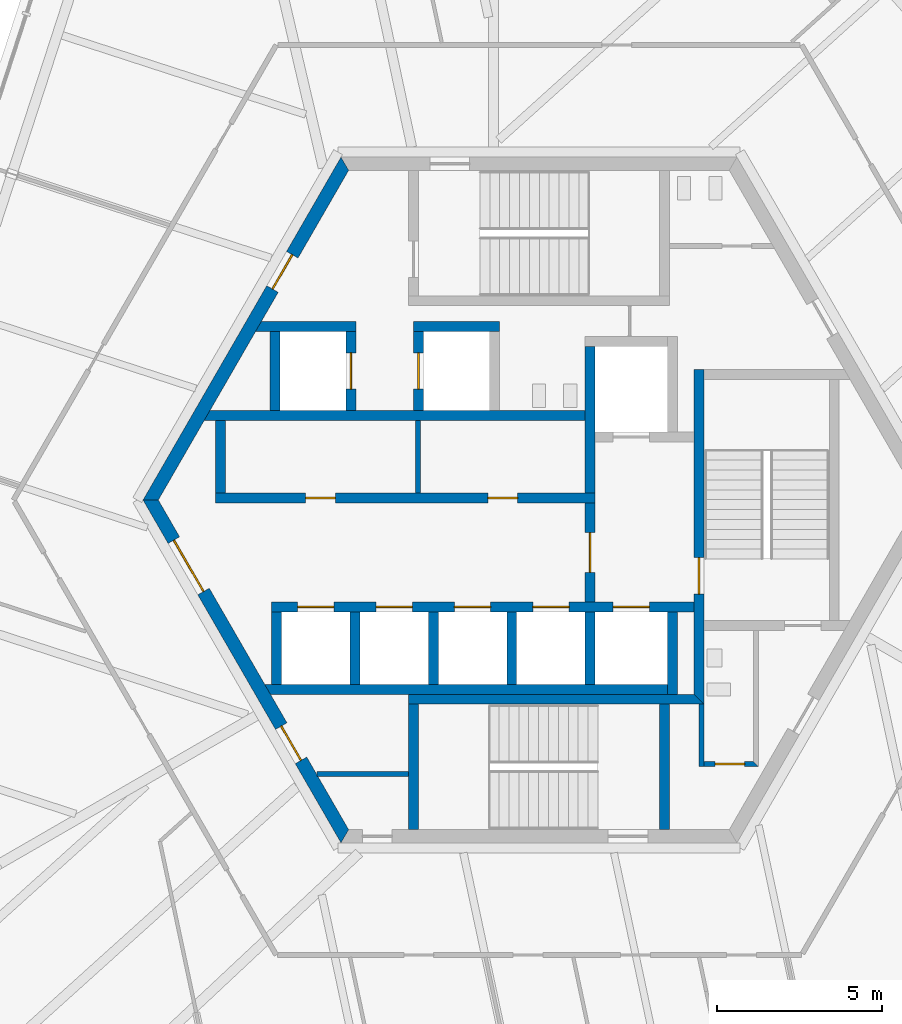
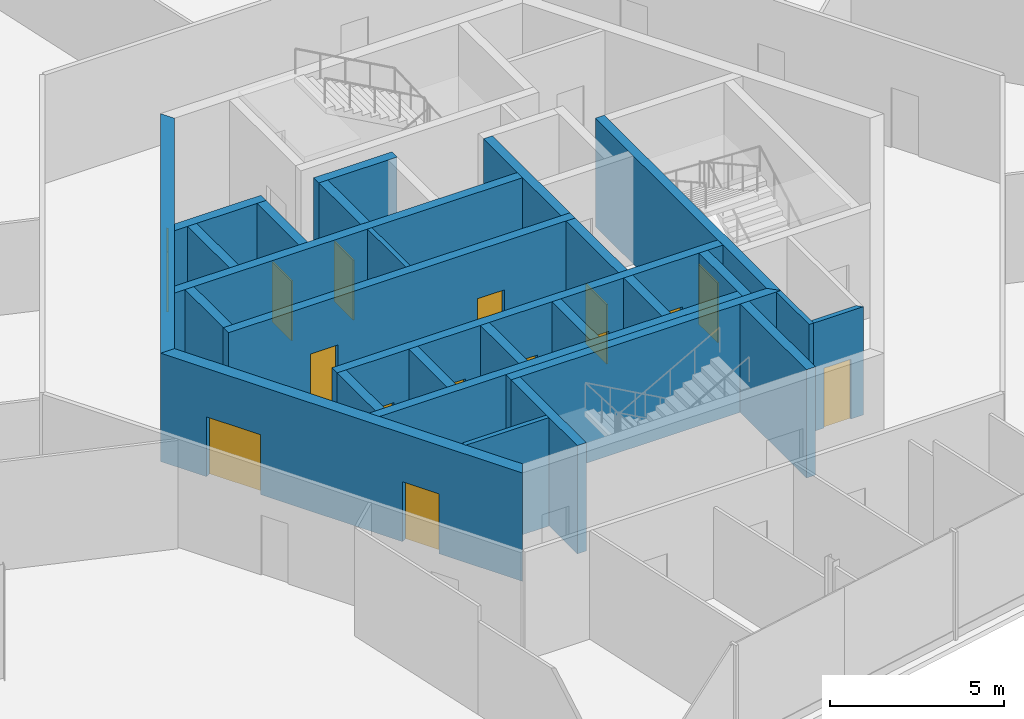
# One storey, part 11 of 16: 28 walls, 15 doors, 15 openings.
"""IFC4 building model written with IfcOpenShell, lengths in metres."""

from ifc_helpers import new_model, si_unit, direction, frame, frame_2d, origin, place, context, subcontext, project, spatial, polyline, rectangle, outline, extrude, source, transform, mapped, material, layer, layer_set, type_object, element, fill, save


model = new_model("IFC4")

# Units and contexts
model_context = context("Model", 3, precision=1e-05, world=origin(), true_north=direction((0.0, 1.0)))
body_context = subcontext(model_context, "Body", "Model", "MODEL_VIEW")
ifc_project = project(units=[si_unit("LENGTHUNIT", "METRE"), si_unit("AREAUNIT", "SQUARE_METRE"), si_unit("VOLUMEUNIT", "CUBIC_METRE"), si_unit("PLANEANGLEUNIT", "RADIAN"), si_unit("MASSUNIT", "GRAM", prefix="KILO")], contexts=[model_context])

# Site, building, storey
site_placement = place(None, origin())
site = spatial("IfcSite", under=ifc_project, at=site_placement, CompositionType="ELEMENT")
building_placement = place(site_placement, origin())
building = spatial("IfcBuilding", under=site, at=building_placement, Name="Triune Harvest Tower", CompositionType="ELEMENT")
storey_placement = place(building_placement, frame((0.0, 0.0, 292.699951171875)))
storey = spatial("IfcBuildingStorey", under=building, at=storey_placement, Name="L77", CompositionType="ELEMENT", Elevation=292.699951171875)

# Walls
ifc_material_1 = material(Name="Concrete masonry unit", Category="masonry")
ifc_layer_1 = layer(ifc_material_1, 0.14990234375)
ifc_layer_set_1 = layer_set([ifc_layer_1], Name="Concrete masonry unit")
wall_type_1 = type_object("IfcWallType", Name="Block partition 150", PredefinedType="PARTITIONING", material=ifc_layer_set_1)
wall_1_placement = place(storey_placement, frame((-3.669921875, 0.2099609375, 0.0), z_axis=(0.0, 0.0, 1.0), x_axis=(0.0, 1.0, 0.0)))
element("IfcWall", 1, at=wall_1_placement, inside=storey, type_object=wall_type_1, Name="Row n part 1 wall", PredefinedType="PARTITIONING", context=body_context, shape_type="SweptSolid", body=[
    extrude(rectangle(XDim=2.199951171875, YDim=0.14990234375, at=frame_2d((1.10009765625, 0.0))), origin(), (0.0, 0.0, 1.0), 3.800048828125),
])
wall_2_placement = place(storey_placement, frame((-6.72705078125, -8.300048828125, 0.0), z_axis=(0.0, 0.0, 1.0), x_axis=(1.0, 0.0, 0.0)))
element("IfcWall", 2, at=wall_2_placement, inside=storey, type_object=wall_type_1, Name="Sw part wall", PredefinedType="PARTITIONING", context=body_context, shape_type="SweptSolid", body=[
    extrude(rectangle(XDim=2.777099609375, YDim=0.14990234375, at=frame_2d((1.388671875, 0.0))), origin(), (0.0, 0.0, 1.0), 3.800048828125),
])

# Wall, opening, door
ifc_material_2 = material(Name="Concrete masonry unit", Category="masonry")
ifc_layer_2 = layer(ifc_material_2, 0.14990234375)
ifc_layer_set_2 = layer_set([ifc_layer_2], Name="Concrete masonry unit")
wall_type_2 = type_object("IfcWallType", Name="Block partition 150 unrated", PredefinedType="PARTITIONING", material=ifc_layer_set_2)
wall_3_placement = place(storey_placement, frame((5.0, -8.0, 0.0), z_axis=(0.0, 0.0, 1.0), x_axis=(1.0, 0.0, 0.0)))
wall_3 = element("IfcWall", 3, at=wall_3_placement, inside=storey, type_object=wall_type_2, Name="Wc acc south wall", PredefinedType="PARTITIONING", context=body_context, shape_type="SweptSolid", body=[
    extrude(outline(polyline([(0.0, -0.074951171875), (1.64990234375, -0.074951171875), (1.5, 0.074951171875), (0.0, 0.074951171875), (0.0, -0.074951171875)])), origin(), (0.0, 0.0, 1.0), 3.800048828125),
])
opening_1_placement = place(wall_3_placement, frame((0.33740234375, 0.0, 0.0)))
opening_1 = element("IfcOpeningElement", 4, at=opening_1_placement, cuts=wall_3, Name="Opening CD-WA", PredefinedType="OPENING", context=body_context, shape_type="SweptSolid", body=[
    extrude(rectangle(XDim=0.89990234375, YDim=2.10009765625, at=frame_2d((0.449951171875, 1.050048828125))), frame((0.0, 0.0849609375, 0.0), z_axis=(0.0, -1.0, 0.0), x_axis=(1.0, 0.0, 0.0)), (0.0, 0.0, 1.0), 0.169921875),
])
ifc_material_3 = material(Name="Timber C24", Category="wood")
door_type_1 = type_object("IfcDoorType", Name="WC door 900", OperationType="SINGLE_SWING_LEFT", PredefinedType="DOOR", material=ifc_material_3)
door_1_placement = place(opening_1_placement, origin())
door_1 = element("IfcDoor", 5, at=door_1_placement, inside=storey, type_object=door_type_1, Name="Door CD-WA", OperationType="SINGLE_SWING_LEFT", OverallHeight=2.10009765625, OverallWidth=0.89990234375, PredefinedType="DOOR", context=body_context, shape_type="SweptSolid", body=[
    extrude(rectangle(XDim=0.89990234375, YDim=2.10009765625, at=frame_2d((0.449951171875, 1.050048828125))), frame((0.0, 0.02490234375, 0.0), z_axis=(0.0, -1.0, 0.0), x_axis=(1.0, 0.0, 0.0)), (0.0, 0.0, 1.0), 0.050048828125),
])
fill(opening_1, door_1)

# Wall
wall_4_placement = place(storey_placement, frame((4.925048828125, -8.074951171875, 0.0), z_axis=(0.0, 0.0, 1.0), x_axis=(0.0, 1.0, 0.0)))
element("IfcWall", 6, at=wall_4_placement, inside=storey, type_object=wall_type_2, Name="Wc acc west wall", PredefinedType="PARTITIONING", context=body_context, shape_type="SweptSolid", body=[
    extrude(rectangle(XDim=1.885009765625, YDim=0.14990234375, at=frame_2d((0.9423828125, 0.0))), origin(), (0.0, 0.0, 1.0), 3.800048828125),
])

# Wall, openings, doors
ifc_material_4 = material(Name="Concrete 70 MPa", Category="concrete")
ifc_layer_3 = layer(ifc_material_4, 0.300048828125)
ifc_layer_set_3 = layer_set([ifc_layer_3], Name="Concrete 70 MPa")
wall_type_3 = type_object("IfcWallType", Name="Core wall 300", PredefinedType="SHEAR", material=ifc_layer_set_3)
wall_5_placement = place(storey_placement, frame((-9.800048828125, 0.06005859375, 0.0), z_axis=(0.0, 0.0, 1.0), x_axis=(1.0, 0.0, 0.0)))
wall_5 = element("IfcWall", 7, at=wall_5_placement, inside=storey, type_object=wall_type_3, Name="North front wall", PredefinedType="SHEAR", context=body_context, shape_type="SweptSolid", body=[
    extrude(rectangle(XDim=11.5, YDim=0.300048828125, at=frame_2d((5.75, 0.0))), origin(), (0.0, 0.0, 1.0), 3.800048828125),
])
opening_2_placement = place(wall_5_placement, frame((2.7275390625, 0.0, 0.0)))
opening_2 = element("IfcOpeningElement", 8, at=opening_2_placement, cuts=wall_5, Name="Opening CD-RN1", PredefinedType="OPENING", context=body_context, shape_type="SweptSolid", body=[
    extrude(rectangle(XDim=0.89990234375, YDim=2.10009765625, at=frame_2d((0.449951171875, 1.050048828125))), frame((0.0, 0.16015625, 0.0), z_axis=(0.0, -1.0, 0.0), x_axis=(1.0, 0.0, 0.0)), (0.0, 0.0, 1.0), 0.320068359375),
])
opening_3_placement = place(wall_5_placement, frame((8.25244140625, 0.0, 0.0)))
opening_3 = element("IfcOpeningElement", 9, at=opening_3_placement, cuts=wall_5, Name="Opening CD-RN2", PredefinedType="OPENING", context=body_context, shape_type="SweptSolid", body=[
    extrude(rectangle(XDim=0.89990234375, YDim=2.10009765625, at=frame_2d((0.449951171875, 1.050048828125))), frame((0.0, 0.16015625, 0.0), z_axis=(0.0, -1.0, 0.0), x_axis=(1.0, 0.0, 0.0)), (0.0, 0.0, 1.0), 0.320068359375),
])
ifc_material_5 = material(Name="Steel S235", Category="steel")
door_type_2 = type_object("IfcDoorType", Name="Riser door 900 FD120", OperationType="SINGLE_SWING_LEFT", PredefinedType="DOOR", material=ifc_material_5)
door_2_placement = place(opening_2_placement, frame((0.89990234375, 0.0, 0.0), z_axis=(0.0, 0.0, 1.0), x_axis=(-1.0, 0.0, 0.0)))
door_2 = element("IfcDoor", 10, at=door_2_placement, inside=storey, type_object=door_type_2, Name="Door CD-RN1", OperationType="SINGLE_SWING_RIGHT", OverallHeight=2.10009765625, OverallWidth=0.89990234375, PredefinedType="DOOR", context=body_context, shape_type="SweptSolid", body=[
    extrude(rectangle(XDim=0.89990234375, YDim=2.10009765625, at=frame_2d((0.449951171875, 1.050048828125))), frame((0.0, 0.02490234375, 0.0), z_axis=(0.0, -1.0, 0.0), x_axis=(1.0, 0.0, 0.0)), (0.0, 0.0, 1.0), 0.050048828125),
])
fill(opening_2, door_2)
door_3_placement = place(opening_3_placement, frame((0.89990234375, 0.0, 0.0), z_axis=(0.0, 0.0, 1.0), x_axis=(-1.0, 0.0, 0.0)))
door_3 = element("IfcDoor", 11, at=door_3_placement, inside=storey, type_object=door_type_2, Name="Door CD-RN2", OperationType="SINGLE_SWING_RIGHT", OverallHeight=2.10009765625, OverallWidth=0.89990234375, PredefinedType="DOOR", context=body_context, shape_type="SweptSolid", body=[
    extrude(rectangle(XDim=0.89990234375, YDim=2.10009765625, at=frame_2d((0.449951171875, 1.050048828125))), frame((0.0, 0.02490234375, 0.0), z_axis=(0.0, -1.0, 0.0), x_axis=(1.0, 0.0, 0.0)), (0.0, 0.0, 1.0), 0.050048828125),
])
fill(opening_3, door_3)

# Walls
wall_6_placement = place(storey_placement, frame((-9.800048828125, 2.56005859375, 0.0), z_axis=(0.0, 0.0, 1.0), x_axis=(1.0, 0.0, 0.0)))
element("IfcWall", 12, at=wall_6_placement, inside=storey, type_object=wall_type_3, Name="North back wall", PredefinedType="SHEAR", context=body_context, shape_type="SweptSolid", body=[
    extrude(outline(polyline([(11.199951171875, -0.14990234375), (-0.34912109375, -0.14990234375), (-0.17578125, 0.14990234375), (11.199951171875, 0.14990234375), (11.199951171875, -0.14990234375)])), origin(), (0.0, 0.0, 1.0), 3.800048828125),
])
wall_7_placement = place(storey_placement, frame((1.550048828125, 0.2099609375, 0.0), z_axis=(0.0, 0.0, 1.0), x_axis=(0.0, 1.0, 0.0)))
element("IfcWall", 13, at=wall_7_placement, inside=storey, type_object=wall_type_3, Name="Ff1 west wall", PredefinedType="SHEAR", context=body_context, shape_type="SweptSolid", body=[
    extrude(rectangle(XDim=4.449951171875, YDim=0.300048828125, at=frame_2d((2.22509765625, 0.0))), origin(), (0.0, 0.0, 1.0), 3.800048828125),
])

# Wall, openings, doors
wall_8_placement = place(storey_placement, frame((-8.10009765625, -3.239990234375, 0.0), z_axis=(0.0, 0.0, 1.0), x_axis=(1.0, 0.0, 0.0)))
wall_8 = element("IfcWall", 14, at=wall_8_placement, inside=storey, type_object=wall_type_3, Name="South front wall", PredefinedType="SHEAR", context=body_context, shape_type="SweptSolid", body=[
    extrude(rectangle(XDim=12.800048828125, YDim=0.300048828125, at=frame_2d((6.39990234375, 0.0))), origin(), (0.0, 0.0, 1.0), 3.800048828125),
])
opening_4_placement = place(wall_8_placement, frame((0.78759765625, 0.0, 0.0)))
opening_4 = element("IfcOpeningElement", 15, at=opening_4_placement, cuts=wall_8, Name="Opening LD-HR1-77", PredefinedType="OPENING", context=body_context, shape_type="SweptSolid", body=[
    extrude(rectangle(XDim=1.10009765625, YDim=2.10009765625, at=frame_2d((0.550048828125, 1.050048828125))), frame((0.0, 0.16015625, 0.0), z_axis=(0.0, -1.0, 0.0), x_axis=(1.0, 0.0, 0.0)), (0.0, 0.0, 1.0), 0.320068359375),
])
opening_5_placement = place(wall_8_placement, frame((3.16259765625, 0.0, 0.0)))
opening_5 = element("IfcOpeningElement", 16, at=opening_5_placement, cuts=wall_8, Name="Opening LD-HR2-77", PredefinedType="OPENING", context=body_context, shape_type="SweptSolid", body=[
    extrude(rectangle(XDim=1.10009765625, YDim=2.10009765625, at=frame_2d((0.550048828125, 1.050048828125))), frame((0.0, 0.16015625, 0.0), z_axis=(0.0, -1.0, 0.0), x_axis=(1.0, 0.0, 0.0)), (0.0, 0.0, 1.0), 0.320068359375),
])
opening_6_placement = place(wall_8_placement, frame((5.53759765625, 0.0, 0.0)))
opening_6 = element("IfcOpeningElement", 17, at=opening_6_placement, cuts=wall_8, Name="Opening LD-HR3-77", PredefinedType="OPENING", context=body_context, shape_type="SweptSolid", body=[
    extrude(rectangle(XDim=1.10009765625, YDim=2.10009765625, at=frame_2d((0.550048828125, 1.050048828125))), frame((0.0, 0.16015625, 0.0), z_axis=(0.0, -1.0, 0.0), x_axis=(1.0, 0.0, 0.0)), (0.0, 0.0, 1.0), 0.320068359375),
])
opening_7_placement = place(wall_8_placement, frame((7.91259765625, 0.0, 0.0)))
opening_7 = element("IfcOpeningElement", 18, at=opening_7_placement, cuts=wall_8, Name="Opening LD-HR4-77", PredefinedType="OPENING", context=body_context, shape_type="SweptSolid", body=[
    extrude(rectangle(XDim=1.10009765625, YDim=2.10009765625, at=frame_2d((0.550048828125, 1.050048828125))), frame((0.0, 0.16015625, 0.0), z_axis=(0.0, -1.0, 0.0), x_axis=(1.0, 0.0, 0.0)), (0.0, 0.0, 1.0), 0.320068359375),
])
opening_8_placement = place(wall_8_placement, frame((10.35009765625, 0.0, 0.0)))
opening_8 = element("IfcOpeningElement", 19, at=opening_8_placement, cuts=wall_8, Name="Opening LD-FF2-77", PredefinedType="OPENING", context=body_context, shape_type="SweptSolid", body=[
    extrude(rectangle(XDim=1.10009765625, YDim=2.10009765625, at=frame_2d((0.550048828125, 1.050048828125))), frame((0.0, 0.16015625, 0.0), z_axis=(0.0, -1.0, 0.0), x_axis=(1.0, 0.0, 0.0)), (0.0, 0.0, 1.0), 0.320068359375),
])
ifc_material_6 = material(Name="Stainless steel AISI 304", Category="steel")
door_type_3 = type_object("IfcDoorType", Name="Landing door 1100 x 2100", OperationType="DOUBLE_DOOR_SLIDING", PredefinedType="DOOR", material=ifc_material_6)
door_4_placement = place(opening_4_placement, origin())
door_4 = element("IfcDoor", 20, at=door_4_placement, inside=storey, type_object=door_type_3, Name="Door LD-HR1-77", OperationType="DOUBLE_DOOR_SLIDING", OverallHeight=2.10009765625, OverallWidth=1.10009765625, PredefinedType="DOOR", context=body_context, shape_type="SweptSolid", body=[
    extrude(rectangle(XDim=1.10009765625, YDim=2.10009765625, at=frame_2d((0.550048828125, 1.050048828125))), frame((0.0, 0.02490234375, 0.0), z_axis=(0.0, -1.0, 0.0), x_axis=(1.0, 0.0, 0.0)), (0.0, 0.0, 1.0), 0.050048828125),
])
fill(opening_4, door_4)
door_5_placement = place(opening_5_placement, origin())
door_5 = element("IfcDoor", 21, at=door_5_placement, inside=storey, type_object=door_type_3, Name="Door LD-HR2-77", OperationType="DOUBLE_DOOR_SLIDING", OverallHeight=2.10009765625, OverallWidth=1.10009765625, PredefinedType="DOOR", context=body_context, shape_type="SweptSolid", body=[
    extrude(rectangle(XDim=1.10009765625, YDim=2.10009765625, at=frame_2d((0.550048828125, 1.050048828125))), frame((0.0, 0.02490234375, 0.0), z_axis=(0.0, -1.0, 0.0), x_axis=(1.0, 0.0, 0.0)), (0.0, 0.0, 1.0), 0.050048828125),
])
fill(opening_5, door_5)
door_6_placement = place(opening_6_placement, origin())
door_6 = element("IfcDoor", 22, at=door_6_placement, inside=storey, type_object=door_type_3, Name="Door LD-HR3-77", OperationType="DOUBLE_DOOR_SLIDING", OverallHeight=2.10009765625, OverallWidth=1.10009765625, PredefinedType="DOOR", context=body_context, shape_type="SweptSolid", body=[
    extrude(rectangle(XDim=1.10009765625, YDim=2.10009765625, at=frame_2d((0.550048828125, 1.050048828125))), frame((0.0, 0.02490234375, 0.0), z_axis=(0.0, -1.0, 0.0), x_axis=(1.0, 0.0, 0.0)), (0.0, 0.0, 1.0), 0.050048828125),
])
fill(opening_6, door_6)
door_7_placement = place(opening_7_placement, origin())
door_7 = element("IfcDoor", 23, at=door_7_placement, inside=storey, type_object=door_type_3, Name="Door LD-HR4-77", OperationType="DOUBLE_DOOR_SLIDING", OverallHeight=2.10009765625, OverallWidth=1.10009765625, PredefinedType="DOOR", context=body_context, shape_type="SweptSolid", body=[
    extrude(rectangle(XDim=1.10009765625, YDim=2.10009765625, at=frame_2d((0.550048828125, 1.050048828125))), frame((0.0, 0.02490234375, 0.0), z_axis=(0.0, -1.0, 0.0), x_axis=(1.0, 0.0, 0.0)), (0.0, 0.0, 1.0), 0.050048828125),
])
fill(opening_7, door_7)
door_8_placement = place(opening_8_placement, origin())
door_8 = element("IfcDoor", 24, at=door_8_placement, inside=storey, type_object=door_type_3, Name="Door LD-FF2-77", OperationType="DOUBLE_DOOR_SLIDING", OverallHeight=2.10009765625, OverallWidth=1.10009765625, PredefinedType="DOOR", context=body_context, shape_type="SweptSolid", body=[
    extrude(rectangle(XDim=1.10009765625, YDim=2.10009765625, at=frame_2d((0.550048828125, 1.050048828125))), frame((0.0, 0.02490234375, 0.0), z_axis=(0.0, -1.0, 0.0), x_axis=(1.0, 0.0, 0.0)), (0.0, 0.0, 1.0), 0.050048828125),
])
fill(opening_8, door_8)

# Walls
wall_9_placement = place(storey_placement, frame((-8.10009765625, -5.739990234375, 0.0), z_axis=(0.0, 0.0, 1.0), x_axis=(1.0, 0.0, 0.0)))
element("IfcWall", 25, at=wall_9_placement, inside=storey, type_object=wall_type_3, Name="South back wall", PredefinedType="SHEAR", context=body_context, shape_type="SweptSolid", body=[
    extrude(outline(polyline([(12.0, -0.14990234375), (-0.039794921875, -0.14990234375), (-0.212890625, 0.14990234375), (12.0, 0.14990234375), (12.0, -0.14990234375)])), origin(), (0.0, 0.0, 1.0), 3.800048828125),
])
wall_10_placement = place(storey_placement, frame((-9.64990234375, 0.2099609375, 0.0), z_axis=(0.0, 0.0, 1.0), x_axis=(0.0, 1.0, 0.0)))
element("IfcWall", 26, at=wall_10_placement, inside=storey, type_object=wall_type_3, Name="North end west wall", PredefinedType="SHEAR", context=body_context, shape_type="SweptSolid", body=[
    extrude(rectangle(XDim=2.199951171875, YDim=0.300048828125, at=frame_2d((1.10009765625, 0.0))), origin(), (0.0, 0.0, 1.0), 3.800048828125),
])

# Wall, opening, door
wall_11_placement = place(storey_placement, frame((4.85009765625, -6.0400390625, 0.0), z_axis=(0.0, 0.0, 1.0), x_axis=(0.0, 1.0, 0.0)))
wall_11 = element("IfcWall", 27, at=wall_11_placement, inside=storey, type_object=wall_type_3, Name="Stair e west wall", PredefinedType="SHEAR", context=body_context, shape_type="SweptSolid", body=[
    extrude(outline(polyline([(-0.14990234375, -0.14990234375), (9.989990234375, -0.14990234375), (9.989990234375, 0.14990234375), (0.14990234375, 0.14990234375), (-0.14990234375, -0.14990234375)])), origin(), (0.0, 0.0, 1.0), 3.800048828125),
])
opening_9_placement = place(wall_11_placement, frame((3.18994140625, 0.0, 0.0)))
opening_9 = element("IfcOpeningElement", 28, at=opening_9_placement, cuts=wall_11, Name="Opening CD-S3L", PredefinedType="OPENING", context=body_context, shape_type="SweptSolid", body=[
    extrude(rectangle(XDim=1.10009765625, YDim=2.10009765625, at=frame_2d((0.550048828125, 1.050048828125))), frame((0.0, 0.16015625, 0.0), z_axis=(0.0, -1.0, 0.0), x_axis=(1.0, 0.0, 0.0)), (0.0, 0.0, 1.0), 0.320068359375),
])
ifc_material_7 = material(Name="Steel S235", Category="steel")
door_type_4 = type_object("IfcDoorType", Name="Stair door 1100 FD120", OperationType="SINGLE_SWING_LEFT", PredefinedType="DOOR", material=ifc_material_7)
door_9_placement = place(opening_9_placement, frame((1.10009765625, 0.0, 0.0), z_axis=(0.0, 0.0, 1.0), x_axis=(-1.0, 0.0, 0.0)))
door_9 = element("IfcDoor", 29, at=door_9_placement, inside=storey, type_object=door_type_4, Name="Door CD-S3L", OperationType="SINGLE_SWING_RIGHT", OverallHeight=2.10009765625, OverallWidth=1.10009765625, PredefinedType="DOOR", context=body_context, shape_type="SweptSolid", body=[
    extrude(rectangle(XDim=1.10009765625, YDim=2.10009765625, at=frame_2d((0.550048828125, 1.050048828125))), frame((0.0, 0.02490234375, 0.0), z_axis=(0.0, -1.0, 0.0), x_axis=(1.0, 0.0, 0.0)), (0.0, 0.0, 1.0), 0.050048828125),
])
fill(opening_9, door_9)

# Walls
wall_12_placement = place(storey_placement, frame((-3.949951171875, -6.0400390625, 0.0), z_axis=(0.0, 0.0, 1.0), x_axis=(1.0, 0.0, 0.0)))
element("IfcWall", 30, at=wall_12_placement, inside=storey, type_object=wall_type_3, Name="Stair s north wall", PredefinedType="SHEAR", context=body_context, shape_type="SweptSolid", body=[
    extrude(outline(polyline([(0.0, -0.14990234375), (8.949951171875, -0.14990234375), (8.64990234375, 0.14990234375), (0.0, 0.14990234375), (0.0, -0.14990234375)])), origin(), (0.0, 0.0, 1.0), 3.800048828125),
])
wall_13_placement = place(storey_placement, frame((-8.14990234375, 5.260009765625, 0.0), z_axis=(0.0, 0.0, 1.0), x_axis=(1.0, 0.0, 0.0)))
element("IfcWall", 31, at=wall_13_placement, inside=storey, type_object=wall_type_3, Name="Sv1 north wall", PredefinedType="SHEAR", context=body_context, shape_type="SweptSolid", body=[
    extrude(outline(polyline([(2.60009765625, -0.14990234375), (-0.440185546875, -0.14990234375), (-0.26708984375, 0.14990234375), (2.60009765625, 0.14990234375), (2.60009765625, -0.14990234375)])), origin(), (0.0, 0.0, 1.0), 3.800048828125),
])
wall_14_placement = place(storey_placement, frame((-3.800048828125, 5.260009765625, 0.0), z_axis=(0.0, 0.0, 1.0), x_axis=(1.0, 0.0, 0.0)))
element("IfcWall", 32, at=wall_14_placement, inside=storey, type_object=wall_type_3, Name="Sv2 north wall", PredefinedType="SHEAR", context=body_context, shape_type="SweptSolid", body=[
    extrude(rectangle(XDim=2.60009765625, YDim=0.300048828125, at=frame_2d((1.300048828125, 0.0))), origin(), (0.0, 0.0, 1.0), 3.800048828125),
])

# Wall, opening, door
ifc_material_8 = material(Name="Concrete 70 MPa", Category="concrete")
ifc_layer_4 = layer(ifc_material_8, 0.39990234375)
ifc_layer_set_4 = layer_set([ifc_layer_4], Name="Concrete 70 MPa")
wall_type_4 = type_object("IfcWallType", Name="Core wall 400", PredefinedType="SHEAR", material=ifc_layer_set_4)
shared_shape_1 = source(origin(), body_context, "Body", "SweptSolid", [
    extrude(outline(polyline([(-0.115478515625, -0.199951171875), (11.884521484375, -0.199951171875), (11.653564453125, 0.199951171875), (0.115478515625, 0.199951171875), (-0.115478515625, -0.199951171875)])), origin(), (0.0, 0.0, 1.0), 3.800048828125),
])
wall_15_placement = place(storey_placement, frame((-5.884521484375, 10.1923828125, 0.0), z_axis=(0.0, 0.0, 1.0), x_axis=(-0.499996592174, -0.866027371285, 0.0)))
wall_15 = element("IfcWall", 33, at=wall_15_placement, inside=storey, type_object=wall_type_4, Name="Hexagon 2 wall", PredefinedType="SHEAR", context=body_context, shape_type="MappedRepresentation", body=[
    mapped(shared_shape_1, transform((0.0, 0.0, 0.0), scale=1.0)),
])
opening_10_placement = place(wall_15_placement, frame((3.1845703125, 0.0, 0.0)))
opening_10 = element("IfcOpeningElement", 34, at=opening_10_placement, cuts=wall_15, Name="Opening CD-SVP", PredefinedType="OPENING", context=body_context, shape_type="SweptSolid", body=[
    extrude(rectangle(XDim=1.199951171875, YDim=2.10009765625, at=frame_2d((0.60009765625, 1.050048828125))), frame((0.0, 0.2099609375, 0.0), z_axis=(0.0, -1.0, 0.0), x_axis=(1.0, 0.0, 0.0)), (0.0, 0.0, 1.0), 0.419921875),
])
ifc_material_9 = material(Name="Steel S235", Category="steel")
door_type_5 = type_object("IfcDoorType", Name="Service door 1200 FD120", OperationType="SINGLE_SWING_LEFT", PredefinedType="DOOR", material=ifc_material_9)
door_10_placement = place(opening_10_placement, frame((1.199951171875, 0.0, 0.0), z_axis=(0.0, 0.0, 1.0), x_axis=(-1.0, 0.0, 0.0)))
door_10 = element("IfcDoor", 35, at=door_10_placement, inside=storey, type_object=door_type_5, Name="Door CD-SVP", OperationType="SINGLE_SWING_RIGHT", OverallHeight=2.10009765625, OverallWidth=1.199951171875, PredefinedType="DOOR", context=body_context, shape_type="SweptSolid", body=[
    extrude(rectangle(XDim=1.199951171875, YDim=2.10009765625, at=frame_2d((0.60009765625, 1.050048828125))), frame((0.0, 0.02490234375, 0.0), z_axis=(0.0, -1.0, 0.0), x_axis=(1.0, 0.0, 0.0)), (0.0, 0.0, 1.0), 0.050048828125),
])
fill(opening_10, door_10)

# Wall, openings, doors
wall_16_placement = place(storey_placement, frame((-11.76904296875, 0.0, 0.0), z_axis=(0.0, 0.0, 1.0), x_axis=(0.499996592174, -0.866027371285, 0.0)))
wall_16 = element("IfcWall", 36, at=wall_16_placement, inside=storey, type_object=wall_type_4, Name="Hexagon 3 wall", PredefinedType="SHEAR", context=body_context, shape_type="MappedRepresentation", body=[
    mapped(shared_shape_1, transform((0.0, 0.0, 0.0), scale=1.0)),
])
opening_11_placement = place(wall_16_placement, frame((1.404541015625, 0.0, 0.0)))
opening_11 = element("IfcOpeningElement", 37, at=opening_11_placement, cuts=wall_16, Name="Opening CD-LS", PredefinedType="OPENING", context=body_context, shape_type="SweptSolid", body=[
    extrude(rectangle(XDim=1.800048828125, YDim=2.10009765625, at=frame_2d((0.89990234375, 1.050048828125))), frame((0.0, 0.2099609375, 0.0), z_axis=(0.0, -1.0, 0.0), x_axis=(1.0, 0.0, 0.0)), (0.0, 0.0, 1.0), 0.419921875),
])
opening_12_placement = place(wall_16_placement, frame((7.91455078125, 0.0, 0.0)))
opening_12 = element("IfcOpeningElement", 38, at=opening_12_placement, cuts=wall_16, Name="Opening CD-SWP", PredefinedType="OPENING", context=body_context, shape_type="SweptSolid", body=[
    extrude(rectangle(XDim=1.199951171875, YDim=2.10009765625, at=frame_2d((0.60009765625, 1.050048828125))), frame((0.0, 0.2099609375, 0.0), z_axis=(0.0, -1.0, 0.0), x_axis=(1.0, 0.0, 0.0)), (0.0, 0.0, 1.0), 0.419921875),
])
ifc_material_10 = material(Name="Steel S235", Category="steel")
door_type_6 = type_object("IfcDoorType", Name="Lobby door 1800 FD120", OperationType="DOUBLE_DOOR_DOUBLE_SWING", PredefinedType="DOOR", material=ifc_material_10)
door_11_placement = place(opening_11_placement, frame((1.800048828125, 0.0, 0.0), z_axis=(0.0, 0.0, 1.0), x_axis=(-1.0, 0.0, 0.0)))
door_11 = element("IfcDoor", 39, at=door_11_placement, inside=storey, type_object=door_type_6, Name="Door CD-LS", OperationType="DOUBLE_DOOR_DOUBLE_SWING", OverallHeight=2.10009765625, OverallWidth=1.800048828125, PredefinedType="DOOR", context=body_context, shape_type="SweptSolid", body=[
    extrude(rectangle(XDim=1.800048828125, YDim=2.10009765625, at=frame_2d((0.89990234375, 1.050048828125))), frame((0.0, 0.02490234375, 0.0), z_axis=(0.0, -1.0, 0.0), x_axis=(1.0, 0.0, 0.0)), (0.0, 0.0, 1.0), 0.050048828125),
])
fill(opening_11, door_11)
door_12_placement = place(opening_12_placement, frame((1.199951171875, 0.0, 0.0), z_axis=(0.0, 0.0, 1.0), x_axis=(-1.0, 0.0, 0.0)))
door_12 = element("IfcDoor", 40, at=door_12_placement, inside=storey, type_object=door_type_5, Name="Door CD-SWP", OperationType="SINGLE_SWING_RIGHT", OverallHeight=2.10009765625, OverallWidth=1.199951171875, PredefinedType="DOOR", context=body_context, shape_type="SweptSolid", body=[
    extrude(rectangle(XDim=1.199951171875, YDim=2.10009765625, at=frame_2d((0.60009765625, 1.050048828125))), frame((0.0, 0.02490234375, 0.0), z_axis=(0.0, -1.0, 0.0), x_axis=(1.0, 0.0, 0.0)), (0.0, 0.0, 1.0), 0.050048828125),
])
fill(opening_12, door_12)

# Wall
shared_shape_2 = source(origin(), body_context, "Body", "SweptSolid", [
    extrude(rectangle(XDim=2.5, YDim=0.300048828125, at=frame_2d((1.25, 0.0))), origin(), (0.0, 0.0, 1.0), 3.800048828125),
])
wall_17_placement = place(storey_placement, frame((4.050048828125, -5.889892578125, 0.0), z_axis=(0.0, 0.0, 1.0), x_axis=(0.0, 1.0, 0.0)))
element("IfcWall", 41, at=wall_17_placement, inside=storey, type_object=wall_type_3, Name="Ff2 east wall", PredefinedType="SHEAR", context=body_context, shape_type="MappedRepresentation", body=[
    mapped(shared_shape_2, transform((0.0, 0.0, 0.0), scale=1.0)),
])

# Wall, opening, door
shared_shape_3 = source(origin(), body_context, "Body", "SweptSolid", [
    extrude(rectangle(XDim=3.0, YDim=0.300048828125, at=frame_2d((1.5, 0.0))), origin(), (0.0, 0.0, 1.0), 3.800048828125),
])
wall_18_placement = place(storey_placement, frame((1.550048828125, -3.090087890625, 0.0), z_axis=(0.0, 0.0, 1.0), x_axis=(0.0, 1.0, 0.0)))
wall_18 = element("IfcWall", 42, at=wall_18_placement, inside=storey, type_object=wall_type_3, Name="Ff lobby west wall", PredefinedType="SHEAR", context=body_context, shape_type="MappedRepresentation", body=[
    mapped(shared_shape_3, transform((0.0, 0.0, 0.0), scale=1.0)),
])
opening_13_placement = place(wall_18_placement, frame((0.89990234375, 0.0, 0.0)))
opening_13 = element("IfcOpeningElement", 43, at=opening_13_placement, cuts=wall_18, Name="Opening CD-FL", PredefinedType="OPENING", context=body_context, shape_type="SweptSolid", body=[
    extrude(rectangle(XDim=1.199951171875, YDim=2.10009765625, at=frame_2d((0.60009765625, 1.050048828125))), frame((0.0, 0.16015625, 0.0), z_axis=(0.0, -1.0, 0.0), x_axis=(1.0, 0.0, 0.0)), (0.0, 0.0, 1.0), 0.320068359375),
])
ifc_material_11 = material(Name="Steel S235", Category="steel")
door_type_7 = type_object("IfcDoorType", Name="Firefighters' lobby door 1200 FD120", OperationType="SINGLE_SWING_LEFT", PredefinedType="DOOR", material=ifc_material_11)
door_13_placement = place(opening_13_placement, frame((1.199951171875, 0.0, 0.0), z_axis=(0.0, 0.0, 1.0), x_axis=(-1.0, 0.0, 0.0)))
door_13 = element("IfcDoor", 44, at=door_13_placement, inside=storey, type_object=door_type_7, Name="Door CD-FL", OperationType="SINGLE_SWING_RIGHT", OverallHeight=2.10009765625, OverallWidth=1.199951171875, PredefinedType="DOOR", context=body_context, shape_type="SweptSolid", body=[
    extrude(rectangle(XDim=1.199951171875, YDim=2.10009765625, at=frame_2d((0.60009765625, 1.050048828125))), frame((0.0, 0.02490234375, 0.0), z_axis=(0.0, -1.0, 0.0), x_axis=(1.0, 0.0, 0.0)), (0.0, 0.0, 1.0), 0.050048828125),
])
fill(opening_13, door_13)

# Walls
shared_shape_4 = source(origin(), body_context, "Body", "SweptSolid", [
    extrude(rectangle(XDim=2.2001953125, YDim=0.300048828125, at=frame_2d((1.10009765625, 0.0))), origin(), (0.0, 0.0, 1.0), 3.800048828125),
])
for number, where, z_axis, x_axis, name in (
    (45, (-7.949951171875, -5.590087890625, 0.0), (0.0, 0.0, 1.0), (0.0, 1.0, 0.0), "South end west wall"),
    (46, (1.550048828125, -5.590087890625, 0.0), (0.0, 0.0, 1.0), (0.0, 1.0, 0.0), "Ff2 west wall"),
    (47, (-5.574951171875, -5.590087890625, 0.0), (0.0, 0.0, 1.0), (0.0, 1.0, 0.0), "South cross 1 wall"),
    (48, (-3.199951171875, -5.590087890625, 0.0), (0.0, 0.0, 1.0), (0.0, 1.0, 0.0), "South cross 2 wall"),
    (49, (-0.824951171875, -5.590087890625, 0.0), (0.0, 0.0, 1.0), (0.0, 1.0, 0.0), "South cross 3 wall"),
):
    element("IfcWall", number, at=place(storey_placement, frame(where, z_axis=z_axis, x_axis=x_axis)), inside=storey, type_object=wall_type_3, Name=name, PredefinedType="SHEAR", context=body_context, shape_type="MappedRepresentation", body=[
        mapped(shared_shape_4, transform((0.0, 0.0, 0.0), scale=1.0)),
    ])
shared_shape_5 = source(origin(), body_context, "Body", "SweptSolid", [
    extrude(outline(polyline([(3.800048828125, -0.14990234375), (-0.00439453125, -0.14990234375), (-0.00439453125, 0.14990234375), (3.800048828125, 0.14990234375), (3.800048828125, -0.14990234375)])), origin(), (0.0, 0.0, 1.0), 3.800048828125),
])
for number, where, z_axis, x_axis, name in (
    (50, (-3.800048828125, -9.989990234375, 0.0), (0.0, 0.0, 1.0), (0.0, 1.0, 0.0), "Stair s west wall"),
    (51, (3.800048828125, -9.989990234375, 0.0), (0.0, 0.0, 1.0), (0.0, 1.0, 0.0), "Stair s east wall"),
):
    element("IfcWall", number, at=place(storey_placement, frame(where, z_axis=z_axis, x_axis=x_axis)), inside=storey, type_object=wall_type_3, Name=name, PredefinedType="SHEAR", context=body_context, shape_type="MappedRepresentation", body=[
        mapped(shared_shape_5, transform((0.0, 0.0, 0.0), scale=1.0)),
    ])
shared_shape_6 = source(origin(), body_context, "Body", "SweptSolid", [
    extrude(rectangle(XDim=2.400146484375, YDim=0.300048828125, at=frame_2d((1.2001953125, 0.0))), origin(), (0.0, 0.0, 1.0), 3.800048828125),
])
wall_19_placement = place(storey_placement, frame((-8.0, 2.7099609375, 0.0), z_axis=(0.0, 0.0, 1.0), x_axis=(0.0, 1.0, 0.0)))
element("IfcWall", 52, at=wall_19_placement, inside=storey, type_object=wall_type_3, Name="Sv1 west wall", PredefinedType="SHEAR", context=body_context, shape_type="MappedRepresentation", body=[
    mapped(shared_shape_6, transform((0.0, 0.0, 0.0), scale=1.0)),
])

# Wall, opening, door
wall_20_placement = place(storey_placement, frame((-5.699951171875, 2.7099609375, 0.0), z_axis=(0.0, 0.0, 1.0), x_axis=(0.0, 1.0, 0.0)))
wall_20 = element("IfcWall", 53, at=wall_20_placement, inside=storey, type_object=wall_type_3, Name="Sv1 east wall", PredefinedType="SHEAR", context=body_context, shape_type="MappedRepresentation", body=[
    mapped(shared_shape_6, transform((0.0, 0.0, 0.0), scale=1.0)),
])
opening_14_placement = place(wall_20_placement, frame((0.64990234375, 0.0, 0.0)))
opening_14 = element("IfcOpeningElement", 54, at=opening_14_placement, cuts=wall_20, Name="Opening LD-SV1-77", PredefinedType="OPENING", context=body_context, shape_type="SweptSolid", body=[
    extrude(rectangle(XDim=1.10009765625, YDim=2.10009765625, at=frame_2d((0.550048828125, 1.050048828125))), frame((0.0, 0.16015625, 0.0), z_axis=(0.0, -1.0, 0.0), x_axis=(1.0, 0.0, 0.0)), (0.0, 0.0, 1.0), 0.320068359375),
])
door_14_placement = place(opening_14_placement, origin())
door_14 = element("IfcDoor", 55, at=door_14_placement, inside=storey, type_object=door_type_3, Name="Door LD-SV1-77", OperationType="DOUBLE_DOOR_SLIDING", OverallHeight=2.10009765625, OverallWidth=1.10009765625, PredefinedType="DOOR", context=body_context, shape_type="SweptSolid", body=[
    extrude(rectangle(XDim=1.10009765625, YDim=2.10009765625, at=frame_2d((0.550048828125, 1.050048828125))), frame((0.0, 0.02490234375, 0.0), z_axis=(0.0, -1.0, 0.0), x_axis=(1.0, 0.0, 0.0)), (0.0, 0.0, 1.0), 0.050048828125),
])
fill(opening_14, door_14)

wall_21_placement = place(storey_placement, frame((-3.64990234375, 2.7099609375, 0.0), z_axis=(0.0, 0.0, 1.0), x_axis=(0.0, 1.0, 0.0)))
wall_21 = element("IfcWall", 56, at=wall_21_placement, inside=storey, type_object=wall_type_3, Name="Sv2 west wall", PredefinedType="SHEAR", context=body_context, shape_type="MappedRepresentation", body=[
    mapped(shared_shape_6, transform((0.0, 0.0, 0.0), scale=1.0)),
])
opening_15_placement = place(wall_21_placement, frame((0.64990234375, 0.0, 0.0)))
opening_15 = element("IfcOpeningElement", 57, at=opening_15_placement, cuts=wall_21, Name="Opening LD-SV2-77", PredefinedType="OPENING", context=body_context, shape_type="SweptSolid", body=[
    extrude(rectangle(XDim=1.10009765625, YDim=2.10009765625, at=frame_2d((0.550048828125, 1.050048828125))), frame((0.0, 0.16015625, 0.0), z_axis=(0.0, -1.0, 0.0), x_axis=(1.0, 0.0, 0.0)), (0.0, 0.0, 1.0), 0.320068359375),
])
door_15_placement = place(opening_15_placement, origin())
door_15 = element("IfcDoor", 58, at=door_15_placement, inside=storey, type_object=door_type_3, Name="Door LD-SV2-77", OperationType="DOUBLE_DOOR_SLIDING", OverallHeight=2.10009765625, OverallWidth=1.10009765625, PredefinedType="DOOR", context=body_context, shape_type="SweptSolid", body=[
    extrude(rectangle(XDim=1.10009765625, YDim=2.10009765625, at=frame_2d((0.550048828125, 1.050048828125))), frame((0.0, 0.02490234375, 0.0), z_axis=(0.0, -1.0, 0.0), x_axis=(1.0, 0.0, 0.0)), (0.0, 0.0, 1.0), 0.050048828125),
])
fill(opening_15, door_15)

save(model, "model.ifc")
